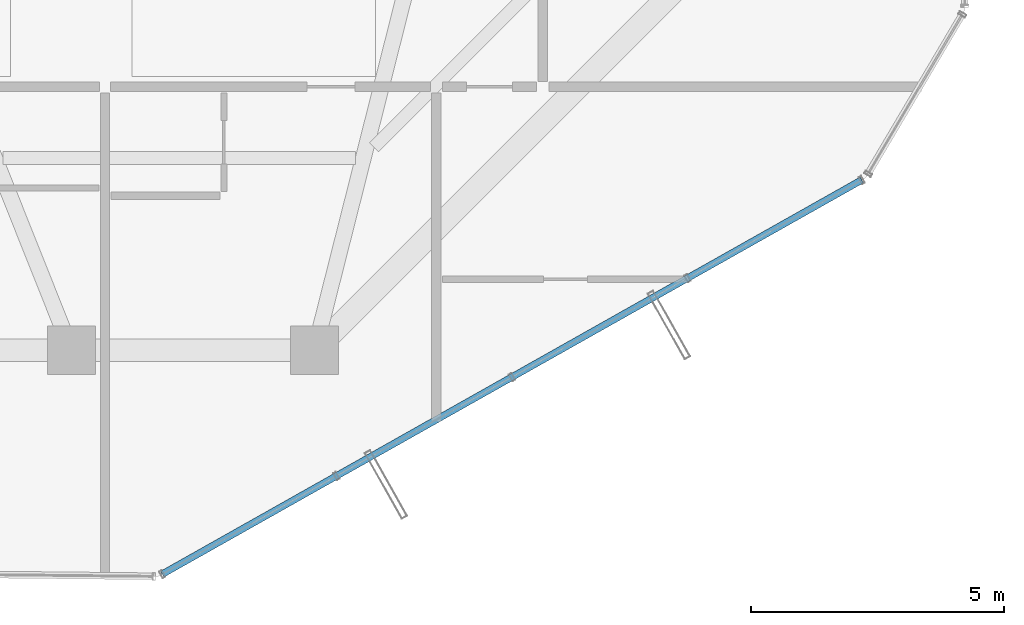
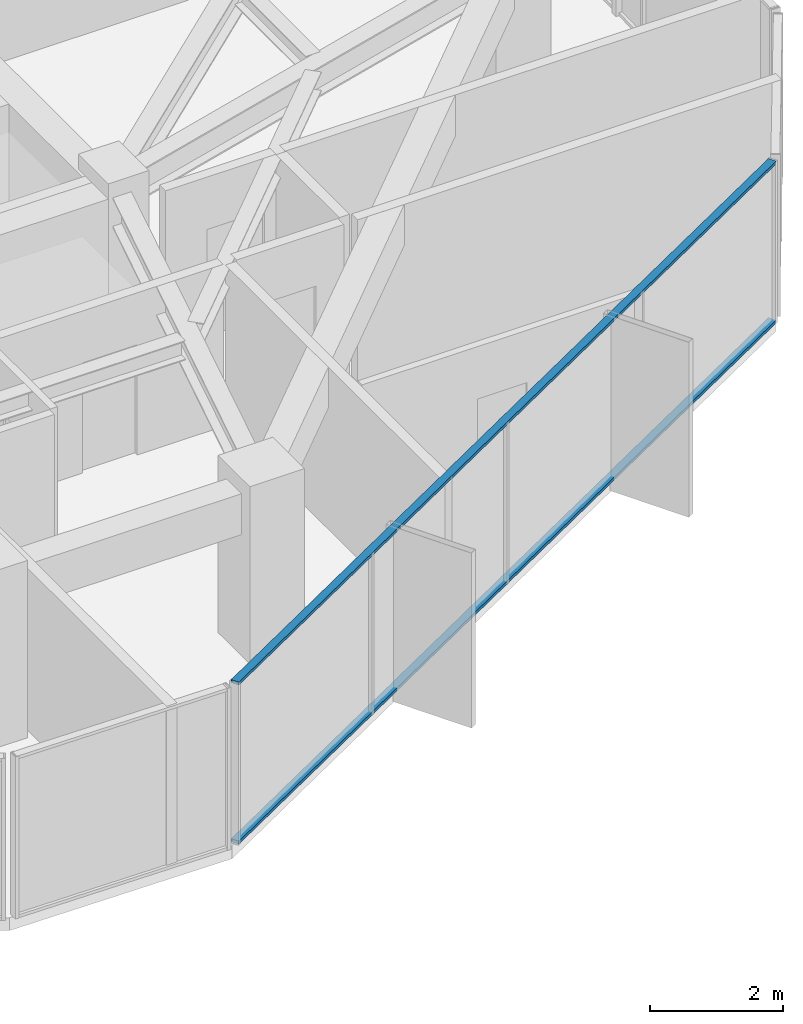
# One storey, part 7 of 30: 2 members, 1 element without a shape of its own.
"""IFC4 building model written with IfcOpenShell, lengths in metres."""

from ifc_helpers import new_model, si_unit, direction, frame, origin, origin_2d, place, context, subcontext, project, spatial, hollow_rectangle, extrude, source, transform, mapped, material, layer, layer_set, material_profile, profile_set, type_object, element, aggregate, save


model = new_model("IFC4")

# Units and contexts
model_context = context("Model", 3, precision=1e-05, world=origin(), true_north=direction((0.0, 1.0)))
body_context = subcontext(model_context, "Body", "Model", "MODEL_VIEW")
ifc_project = project(units=[si_unit("LENGTHUNIT", "METRE"), si_unit("AREAUNIT", "SQUARE_METRE"), si_unit("VOLUMEUNIT", "CUBIC_METRE"), si_unit("PLANEANGLEUNIT", "RADIAN"), si_unit("MASSUNIT", "GRAM", prefix="KILO")], contexts=[model_context])

# Site, building, storey
site_placement = place(None, origin())
site = spatial("IfcSite", under=ifc_project, at=site_placement, CompositionType="ELEMENT")
building_placement = place(site_placement, origin())
building = spatial("IfcBuilding", under=site, at=building_placement, Name="Veraguas Prism Commons", CompositionType="ELEMENT")
storey_placement = place(building_placement, frame((0.0, 0.0, 208.10009765625)))
storey = spatial("IfcBuildingStorey", under=building, at=storey_placement, Name="L59", CompositionType="ELEMENT", Elevation=208.10009765625)

# Curtain wall, members
ifc_material = material(Name="Anodised aluminium EN AW-6063 T6", Category="aluminium")
ifc_layer = layer(ifc_material, 0.14990234375, Name="Unitised Flush Curtain Wall Zone 3", Category="aluminium")
ifc_layer_set = layer_set([ifc_layer], Name="Anodised aluminium EN AW-6063 T6")
curtain_wall_type = type_object("IfcCurtainWallType", Name="Unitised Flush Curtain Wall Zone 3", PredefinedType="NOTDEFINED", material=ifc_layer_set)
curtain_wall_placement = place(storey_placement, origin())
curtain_wall = element("IfcCurtainWall", 1, at=curtain_wall_placement, inside=storey, type_object=curtain_wall_type, Name="Tower Facade Curtain Wall L59-F5", PredefinedType="NOTDEFINED")
ifc_material_profile = material_profile(ifc_material, hollow_rectangle(XDim=0.054931640625, YDim=0.135009765625, WallThickness=0.0029296875, at=origin_2d()), Name="AL55X135X3")
ifc_profile_set = profile_set([ifc_material_profile], Name="Anodised aluminium EN AW-6063 T6")
member_type = type_object("IfcMemberType", Name="Curtain Wall Transom Standard AL 55x135x3", PredefinedType="USERDEFINED", material=ifc_profile_set)
shared_shape = source(origin(), body_context, "Body", "SweptSolid", [
    extrude(hollow_rectangle(XDim=0.054931640625, YDim=0.135009765625, WallThickness=0.0029296875, at=origin_2d()), origin(), (0.0, 0.0, 1.0), 15.84228515625),
])
member_1_placement = place(storey_placement, frame((25.79296875, 4.68212890625, 0.02734375), z_axis=(0.871211889184, 0.490907164487, 0.0), x_axis=(0.0, 0.0, 1.0)))
member_1 = element("IfcMember", 2, at=member_1_placement, type_object=member_type, Name="CW-Z3 Transom 1", ObjectType="TRANSOM", PredefinedType="USERDEFINED", context=body_context, shape_type="MappedRepresentation", body=[
    mapped(shared_shape, transform((0.0, 0.0, 0.0), scale=1.0)),
])
member_2_placement = place(storey_placement, frame((25.79296875, 4.68212890625, 2.9423828125), z_axis=(0.871211889184, 0.490907164487, 0.0), x_axis=(0.0, 0.0, 1.0)))
member_2 = element("IfcMember", 3, at=member_2_placement, type_object=member_type, Name="CW-Z3 Transom 2", ObjectType="TRANSOM", PredefinedType="USERDEFINED", context=body_context, shape_type="MappedRepresentation", body=[
    mapped(shared_shape, transform((0.0, 0.0, 0.0), scale=1.0)),
])
aggregate(curtain_wall, [member_1, member_2])

save(model, "model.ifc")
